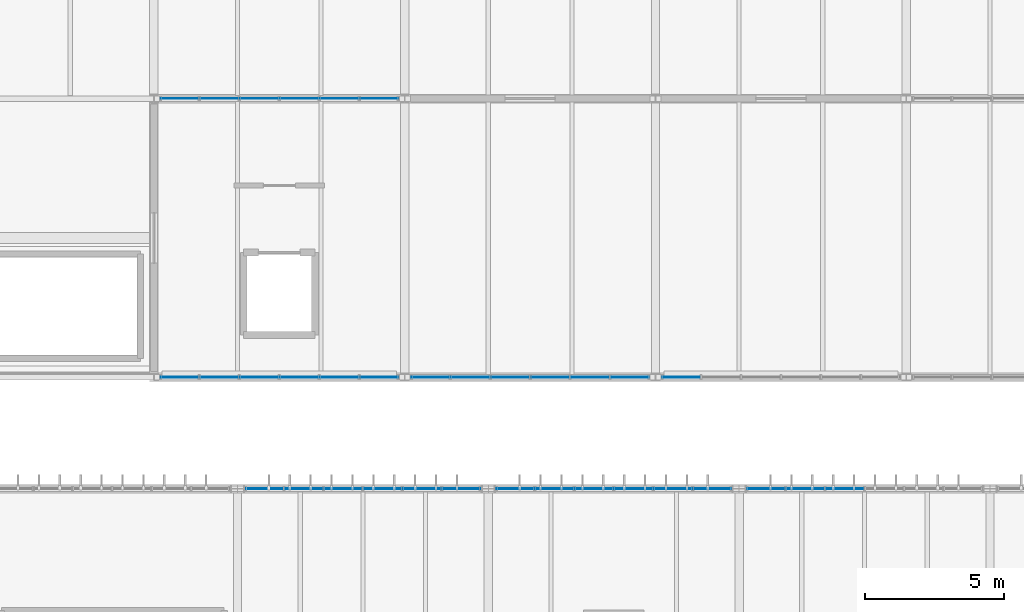
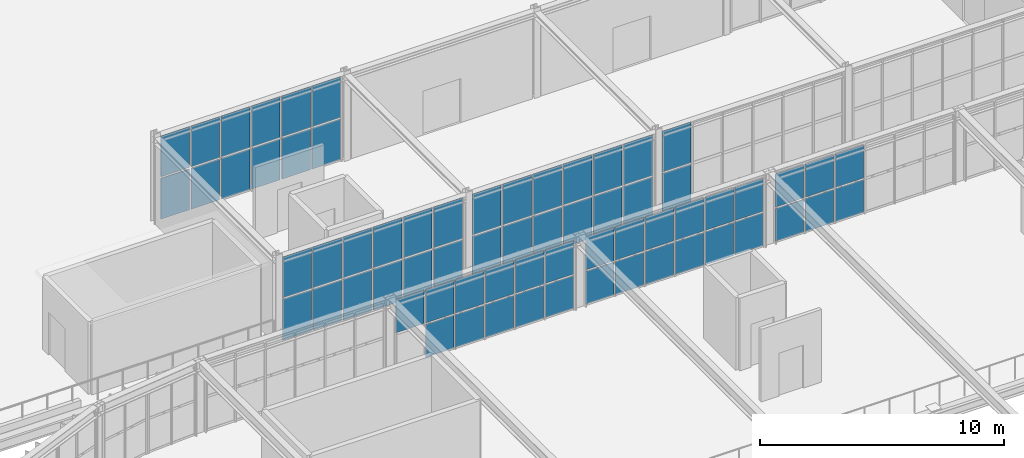
# One storey, part 110 of 152: 67 plates, 7 elements without a shape of their own.
"""IFC4 building model written with IfcOpenShell, lengths in metres."""

import ifcopenshell
import ifcopenshell.guid

model = None  # the IFC model being written
_history = None  # IfcOwnerHistory: only IFC2X3 demands one
_inside = {}  # id of a spatial element -> (the spatial element, [elements in it])
_under = {}  # id of a project, library or spatial element -> (it, [spatial elements below it])
_declared = {}  # id of a project -> (the project, [libraries it declares])
_typed = {}  # id of a type object -> (the type object, [elements of that type])
_made_of = {}  # id of a material, layer set ... -> (it, [elements and type objects made of it])


def new_model(schema):
    """Start an empty IFC model of exactly this schema.

    Asked for "IFC4X3", IfcOpenShell would pick the latest addendum, in which some entities
    have other attributes; the version numbers below select the first issue.
    IFC2X3 requires an IfcOwnerHistory on every rooted entity: one is made here for all.
    """
    global model, _history
    if schema == "IFC4X3":
        model = ifcopenshell.file(schema_version=(4, 3, 0, 0))
    else:
        model = ifcopenshell.file(schema=schema)
    _inside.clear()
    _under.clear()
    _declared.clear()
    _typed.clear()
    _made_of.clear()
    _history = None
    if model.schema == "IFC2X3":
        org = make("IfcOrganization", Name="unknown")
        user = make(
            "IfcPersonAndOrganization",
            ThePerson=make("IfcPerson", FamilyName="unknown"),
            TheOrganization=org,
        )
        app = make(
            "IfcApplication",
            ApplicationDeveloper=org,
            Version="unknown",
            ApplicationFullName="unknown",
            ApplicationIdentifier="unknown",
        )
        _history = make(
            "IfcOwnerHistory",
            OwningUser=user,
            OwningApplication=app,
            ChangeAction="ADDED",
            CreationDate=0,
        )
    return model


def make(cls, **values):
    """One entity of the class cls with the attributes given. An attribute that is None is left unset."""
    return model.create_entity(
        cls, **{name: value for name, value in values.items() if value is not None}
    )


def rooted(cls, **values):
    """An entity with a GlobalId (a new one), such as an element, a storey or a relation."""
    return make(cls, GlobalId=ifcopenshell.guid.new(), OwnerHistory=_history, **values)


def si_unit(unit_type, name, prefix=None):
    """IfcSIUnit, for example si_unit("LENGTHUNIT", "METRE", prefix="MILLI")."""
    return make("IfcSIUnit", UnitType=unit_type, Prefix=prefix, Name=name)


def derived_unit(unit_type, elements):
    """IfcDerivedUnit: a product of units, each with its exponent."""
    return make(
        "IfcDerivedUnit",
        Elements=[
            make("IfcDerivedUnitElement", Unit=unit, Exponent=power)
            for unit, power in elements
        ],
        UnitType=unit_type,
    )


def assignment(units):
    """IfcUnitAssignment: the units of a project."""
    return None if units is None else make("IfcUnitAssignment", Units=units)


def point(xyz):
    """IfcCartesianPoint."""
    return None if xyz is None else make("IfcCartesianPoint", Coordinates=xyz)


def direction(xyz):
    """IfcDirection."""
    return None if xyz is None else make("IfcDirection", DirectionRatios=xyz)


def frame(location, z_axis=None, x_axis=None):
    """IfcAxis2Placement3D, a coordinate frame: its origin and axes. An axis left out is left unset."""
    return make(
        "IfcAxis2Placement3D",
        Location=point(location),
        Axis=direction(z_axis),
        RefDirection=direction(x_axis),
    )


def frame_2d(location, x_axis=None):
    """IfcAxis2Placement2D, a coordinate frame in the plane: its origin and x axis."""
    return make(
        "IfcAxis2Placement2D", Location=point(location), RefDirection=direction(x_axis)
    )


def origin():
    """The frame at (0, 0, 0) with its axes left unset."""
    return frame((0.0, 0.0, 0.0))


def origin_2d():
    """The frame at (0, 0) in the plane with its x axis left unset."""
    return frame_2d((0.0, 0.0))


def place(relative_to, where):
    """IfcLocalPlacement: puts the frame where relative to a parent placement (None: the world)."""
    return make(
        "IfcLocalPlacement", PlacementRelTo=relative_to, RelativePlacement=where
    )


def context(
    kind, dimensions, precision=None, world=None, true_north=None, identifier=None
):
    """IfcGeometricRepresentationContext, for example the 3D "Model" context."""
    return make(
        "IfcGeometricRepresentationContext",
        ContextIdentifier=identifier,
        ContextType=kind,
        CoordinateSpaceDimension=dimensions,
        Precision=precision,
        WorldCoordinateSystem=world,
        TrueNorth=true_north,
    )


def subcontext(parent, identifier, kind, view, scale=None):
    """IfcGeometricRepresentationSubContext, for example "Body" below "Model"."""
    return make(
        "IfcGeometricRepresentationSubContext",
        ContextIdentifier=identifier,
        ContextType=kind,
        ParentContext=parent,
        TargetScale=scale,
        TargetView=view,
    )


def project(units=None, contexts=None):
    """IfcProject with its units and contexts."""
    return rooted(
        "IfcProject",
        Name="project",
        RepresentationContexts=contexts,
        UnitsInContext=assignment(units),
    )


def spatial(cls, under=None, at=None, **own):
    """A site, building, storey or space (cls), placed at a placement, below another one or the project."""
    s = rooted(cls, ObjectPlacement=at, **own)
    if under is not None:
        _under.setdefault(under.id(), (under, []))[1].append(s)
    return s


def profile(cls, at=None, kind="AREA", **sizes):
    """A parametric profile (cls). Its sizes go by their IFC names, for example OverallWidth=200.0."""
    return make(cls, ProfileType=kind, Position=at, **sizes)


def rectangle(**sizes):
    """IfcRectangleProfileDef."""
    return profile("IfcRectangleProfileDef", **sizes)


def extrude(swept, where, along, depth):
    """IfcExtrudedAreaSolid: the profile swept, set in the frame where, extruded along a direction by depth."""
    return make(
        "IfcExtrudedAreaSolid",
        SweptArea=swept,
        Position=where,
        ExtrudedDirection=direction(along),
        Depth=depth,
    )


def shape(context_of_items, identifier, shape_type, items):
    """IfcShapeRepresentation: the items that make up one representation, for example the "Body"."""
    return make(
        "IfcShapeRepresentation",
        ContextOfItems=context_of_items,
        RepresentationIdentifier=identifier,
        RepresentationType=shape_type,
        Items=items,
    )


def material(Name=None, Category=None):
    """IfcMaterial."""
    return make("IfcMaterial", Name=Name, Category=Category)


def layer(
    of_material, thickness, ventilated=None, Name=None, Category=None, Priority=None
):
    """IfcMaterialLayer: one layer of a wall or slab, of a material (None: an air gap)."""
    return make(
        "IfcMaterialLayer",
        Material=of_material,
        LayerThickness=thickness,
        IsVentilated=ventilated,
        Name=Name,
        Category=Category,
        Priority=Priority,
    )


def layer_set(layers, Name=None):
    """IfcMaterialLayerSet."""
    return make("IfcMaterialLayerSet", MaterialLayers=layers, LayerSetName=Name)


def made_of(thing, what):
    """Note that an element or type object is made of a material, layer set ...; save() writes the relation."""
    if what is not None:
        _made_of.setdefault(what.id(), (what, []))[1].append(thing)
    return thing


def type_object(cls, material=None, **own):
    """A type object (cls), such as IfcWallType, which elements share."""
    return made_of(rooted(cls, **own), material)


def element(
    cls,
    number,
    at=None,
    inside=None,
    cuts=None,
    type_object=None,
    material=None,
    context=None,
    identifier="Body",
    shape_type=None,
    held_by="IfcProductDefinitionShape",
    body=None,
    shapes=None,
    **own,
):
    """One element of the class cls, such as IfcWall. Its Tag is "e" and its number.

    at: its placement. inside: the storey or other place that contains it. cuts: it is an
    opening in that element (IfcRelVoidsElement). A single representation is given by context,
    identifier, shape_type and body (its items); several are given by shapes. held_by: the class
    of the entity that holds the representations. save() writes the other relations.
    """
    e = rooted(cls, Tag="e%d" % number, ObjectPlacement=at, **own)
    if body is not None:
        shapes = [shape(context, identifier, shape_type, body)]
    if shapes is not None:
        e.Representation = make(held_by, Representations=shapes)
    if inside is not None:
        _inside.setdefault(inside.id(), (inside, []))[1].append(e)
    if cuts is not None:
        rooted(
            "IfcRelVoidsElement", RelatingBuildingElement=cuts, RelatedOpeningElement=e
        )
    if type_object is not None:
        _typed.setdefault(type_object.id(), (type_object, []))[1].append(e)
    return made_of(e, material)


def aggregate(whole, parts):
    """IfcRelAggregates: a whole, such as a stair, and the parts it consists of."""
    return rooted("IfcRelAggregates", RelatingObject=whole, RelatedObjects=parts)


def save(model, path):
    """Write the relations noted so far, then the file.

    IfcRelAggregates (storeys below a building ...), IfcRelContainedInSpatialStructure (elements
    in a storey), IfcRelDefinesByType, IfcRelAssociatesMaterial and IfcRelDeclares: one each for
    every whole, place, type object, material and project.
    """
    for whole, parts in _under.values():
        aggregate(whole, parts)
    for where, things in _inside.values():
        rooted(
            "IfcRelContainedInSpatialStructure",
            RelatedElements=things,
            RelatingStructure=where,
        )
    for kind, things in _typed.values():
        rooted("IfcRelDefinesByType", RelatedObjects=things, RelatingType=kind)
    for what, things in _made_of.values():
        rooted("IfcRelAssociatesMaterial", RelatedObjects=things, RelatingMaterial=what)
    for by, libraries in _declared.values():
        rooted("IfcRelDeclares", RelatingContext=by, RelatedDefinitions=libraries)
    model.write(path)


model = new_model("IFC4")

# Units and contexts
model_context = context("Model", 3, precision=1e-05, world=origin(), true_north=direction((0.0, 1.0)))
body_context = subcontext(model_context, "Body", "Model", "MODEL_VIEW")
ifc_project = project(units=[si_unit("LENGTHUNIT", "METRE"), si_unit("AREAUNIT", "SQUARE_METRE"), si_unit("VOLUMEUNIT", "CUBIC_METRE"), si_unit("PLANEANGLEUNIT", "RADIAN"), si_unit("MASSUNIT", "GRAM", prefix="KILO"), si_unit("THERMODYNAMICTEMPERATUREUNIT", "KELVIN"), si_unit("TIMEUNIT", "SECOND"), derived_unit("THERMALTRANSMITTANCEUNIT", [(si_unit("MASSUNIT", "GRAM", prefix="KILO"), 1), (si_unit("THERMODYNAMICTEMPERATUREUNIT", "KELVIN"), -1), (si_unit("TIMEUNIT", "SECOND"), -3)])], contexts=[model_context])

# Site, building, storey
site_placement = place(None, origin())
site = spatial("IfcSite", under=ifc_project, at=site_placement, CompositionType="ELEMENT")
building_placement = place(site_placement, origin())
building = spatial("IfcBuilding", under=site, at=building_placement, Name="Cambertide Market Hall", CompositionType="ELEMENT")
storey_placement = place(building_placement, frame((0.0, 0.0, 5.39990234375)))
storey = spatial("IfcBuildingStorey", under=building, at=storey_placement, Name="L02", CompositionType="ELEMENT", Elevation=5.39990234375)

# Curtain wall, plates
ifc_material_1 = material(Name="Marine Anodized Aluminium 6063-T6 AA25", Category="aluminium")
curtain_wall_type_1 = type_object("IfcCurtainWallType", Name="Lantern Straight Upper Curtain Wall", PredefinedType="USERDEFINED", material=ifc_material_1)
curtain_wall_1_placement = place(storey_placement, origin())
curtain_wall_1 = element("IfcCurtainWall", 1, at=curtain_wall_1_placement, inside=storey, type_object=curtain_wall_type_1, Name="Level 2 Curtain Wall CW-V1N-L02-2", ObjectType="UNITIZED CURTAIN WALL", PredefinedType="USERDEFINED")
ifc_material_2 = material(Name="Low-E Laminated Insulated Glass", Category="glass")
ifc_layer = layer(ifc_material_2, 0.028076171875, Name="Vision Insulated Glazing Panel 28")
ifc_layer_set = layer_set([ifc_layer], Name="Low-E Laminated Insulated Glass")
plate_type = type_object("IfcPlateType", Name="Vision Insulated Glazing Panel 28", PredefinedType="CURTAIN_PANEL", material=ifc_layer_set)
plate_1_placement = place(storey_placement, frame((53.375, 92.0, 0.0400390625), z_axis=(0.0, 0.0, 1.0), x_axis=(1.0, 0.0, 0.0)))
plate_1 = element("IfcPlate", 2, at=plate_1_placement, type_object=plate_type, Name="CW-V1N-L02-2 Glazing Panel 1-2", PredefinedType="CURTAIN_PANEL", context=body_context, shape_type="SweptSolid", body=[
    extrude(rectangle(XDim=1.336669921875, YDim=0.028076171875, at=origin_2d()), origin(), (0.0, 0.0, 1.0), 1.64501953125),
])
plate_2_placement = place(storey_placement, frame((54.791748046875, 92.0, 0.0400390625), z_axis=(0.0, 0.0, 1.0), x_axis=(1.0, 0.0, 0.0)))
plate_2 = element("IfcPlate", 3, at=plate_2_placement, type_object=plate_type, Name="CW-V1N-L02-2 Glazing Panel 1-3", PredefinedType="CURTAIN_PANEL", context=body_context, shape_type="SweptSolid", body=[
    extrude(rectangle(XDim=1.336669921875, YDim=0.028076171875, at=origin_2d()), origin(), (0.0, 0.0, 1.0), 1.64501953125),
])
plate_3_placement = place(storey_placement, frame((56.208251953125, 92.0, 0.0400390625), z_axis=(0.0, 0.0, 1.0), x_axis=(1.0, 0.0, 0.0)))
plate_3 = element("IfcPlate", 4, at=plate_3_placement, type_object=plate_type, Name="CW-V1N-L02-2 Glazing Panel 1-4", PredefinedType="CURTAIN_PANEL", context=body_context, shape_type="SweptSolid", body=[
    extrude(rectangle(XDim=1.336669921875, YDim=0.028076171875, at=origin_2d()), origin(), (0.0, 0.0, 1.0), 1.64501953125),
])
plate_4_placement = place(storey_placement, frame((57.625, 92.0, 0.0400390625), z_axis=(0.0, 0.0, 1.0), x_axis=(1.0, 0.0, 0.0)))
plate_4 = element("IfcPlate", 5, at=plate_4_placement, type_object=plate_type, Name="CW-V1N-L02-2 Glazing Panel 1-5", PredefinedType="CURTAIN_PANEL", context=body_context, shape_type="SweptSolid", body=[
    extrude(rectangle(XDim=1.336669921875, YDim=0.028076171875, at=origin_2d()), origin(), (0.0, 0.0, 1.0), 1.64501953125),
])
plate_5_placement = place(storey_placement, frame((59.041748046875, 92.0, 0.0400390625), z_axis=(0.0, 0.0, 1.0), x_axis=(1.0, 0.0, 0.0)))
plate_5 = element("IfcPlate", 6, at=plate_5_placement, type_object=plate_type, Name="CW-V1N-L02-2 Glazing Panel 1-6", PredefinedType="CURTAIN_PANEL", context=body_context, shape_type="SweptSolid", body=[
    extrude(rectangle(XDim=1.336669921875, YDim=0.028076171875, at=origin_2d()), origin(), (0.0, 0.0, 1.0), 1.64501953125),
])
plate_6_placement = place(storey_placement, frame((51.958251953125, 92.0, 1.76513671875), z_axis=(0.0, 0.0, 1.0), x_axis=(1.0, 0.0, 0.0)))
plate_6 = element("IfcPlate", 7, at=plate_6_placement, type_object=plate_type, Name="CW-V1N-L02-2 Glazing Panel 2-1", PredefinedType="CURTAIN_PANEL", context=body_context, shape_type="SweptSolid", body=[
    extrude(rectangle(XDim=1.336669921875, YDim=0.028076171875, at=origin_2d()), origin(), (0.0, 0.0, 1.0), 1.64501953125),
])
plate_7_placement = place(storey_placement, frame((53.375, 92.0, 1.76513671875), z_axis=(0.0, 0.0, 1.0), x_axis=(1.0, 0.0, 0.0)))
plate_7 = element("IfcPlate", 8, at=plate_7_placement, type_object=plate_type, Name="CW-V1N-L02-2 Glazing Panel 2-2", PredefinedType="CURTAIN_PANEL", context=body_context, shape_type="SweptSolid", body=[
    extrude(rectangle(XDim=1.336669921875, YDim=0.028076171875, at=origin_2d()), origin(), (0.0, 0.0, 1.0), 1.64501953125),
])
plate_8_placement = place(storey_placement, frame((54.791748046875, 92.0, 1.76513671875), z_axis=(0.0, 0.0, 1.0), x_axis=(1.0, 0.0, 0.0)))
plate_8 = element("IfcPlate", 9, at=plate_8_placement, type_object=plate_type, Name="CW-V1N-L02-2 Glazing Panel 2-3", PredefinedType="CURTAIN_PANEL", context=body_context, shape_type="SweptSolid", body=[
    extrude(rectangle(XDim=1.336669921875, YDim=0.028076171875, at=origin_2d()), origin(), (0.0, 0.0, 1.0), 1.64501953125),
])
plate_9_placement = place(storey_placement, frame((56.208251953125, 92.0, 1.76513671875), z_axis=(0.0, 0.0, 1.0), x_axis=(1.0, 0.0, 0.0)))
plate_9 = element("IfcPlate", 10, at=plate_9_placement, type_object=plate_type, Name="CW-V1N-L02-2 Glazing Panel 2-4", PredefinedType="CURTAIN_PANEL", context=body_context, shape_type="SweptSolid", body=[
    extrude(rectangle(XDim=1.336669921875, YDim=0.028076171875, at=origin_2d()), origin(), (0.0, 0.0, 1.0), 1.64501953125),
])
plate_10_placement = place(storey_placement, frame((57.625, 92.0, 1.76513671875), z_axis=(0.0, 0.0, 1.0), x_axis=(1.0, 0.0, 0.0)))
plate_10 = element("IfcPlate", 11, at=plate_10_placement, type_object=plate_type, Name="CW-V1N-L02-2 Glazing Panel 2-5", PredefinedType="CURTAIN_PANEL", context=body_context, shape_type="SweptSolid", body=[
    extrude(rectangle(XDim=1.336669921875, YDim=0.028076171875, at=origin_2d()), origin(), (0.0, 0.0, 1.0), 1.64501953125),
])
plate_11_placement = place(storey_placement, frame((59.041748046875, 92.0, 1.76513671875), z_axis=(0.0, 0.0, 1.0), x_axis=(1.0, 0.0, 0.0)))
plate_11 = element("IfcPlate", 12, at=plate_11_placement, type_object=plate_type, Name="CW-V1N-L02-2 Glazing Panel 2-6", PredefinedType="CURTAIN_PANEL", context=body_context, shape_type="SweptSolid", body=[
    extrude(rectangle(XDim=1.336669921875, YDim=0.028076171875, at=origin_2d()), origin(), (0.0, 0.0, 1.0), 1.64501953125),
])
aggregate(curtain_wall_1, [plate_1, plate_2, plate_3, plate_4, plate_5, plate_6, plate_7, plate_8, plate_9, plate_10, plate_11])

curtain_wall_2_placement = place(storey_placement, origin())
curtain_wall_2 = element("IfcCurtainWall", 13, at=curtain_wall_2_placement, inside=storey, type_object=curtain_wall_type_1, Name="Level 2 Curtain Wall CW-V1N-L02-3", ObjectType="UNITIZED CURTAIN WALL", PredefinedType="USERDEFINED")
plate_12_placement = place(storey_placement, frame((60.958251953125, 92.0, 0.0400390625), z_axis=(0.0, 0.0, 1.0), x_axis=(1.0, 0.0, 0.0)))
plate_12 = element("IfcPlate", 14, at=plate_12_placement, type_object=plate_type, Name="CW-V1N-L02-3 Glazing Panel 1-1", PredefinedType="CURTAIN_PANEL", context=body_context, shape_type="SweptSolid", body=[
    extrude(rectangle(XDim=1.336669921875, YDim=0.028076171875, at=origin_2d()), origin(), (0.0, 0.0, 1.0), 1.64501953125),
])
plate_13_placement = place(storey_placement, frame((62.375, 92.0, 0.0400390625), z_axis=(0.0, 0.0, 1.0), x_axis=(1.0, 0.0, 0.0)))
plate_13 = element("IfcPlate", 15, at=plate_13_placement, type_object=plate_type, Name="CW-V1N-L02-3 Glazing Panel 1-2", PredefinedType="CURTAIN_PANEL", context=body_context, shape_type="SweptSolid", body=[
    extrude(rectangle(XDim=1.336669921875, YDim=0.028076171875, at=origin_2d()), origin(), (0.0, 0.0, 1.0), 1.64501953125),
])
plate_14_placement = place(storey_placement, frame((63.791748046875, 92.0, 0.0400390625), z_axis=(0.0, 0.0, 1.0), x_axis=(1.0, 0.0, 0.0)))
plate_14 = element("IfcPlate", 16, at=plate_14_placement, type_object=plate_type, Name="CW-V1N-L02-3 Glazing Panel 1-3", PredefinedType="CURTAIN_PANEL", context=body_context, shape_type="SweptSolid", body=[
    extrude(rectangle(XDim=1.336669921875, YDim=0.028076171875, at=origin_2d()), origin(), (0.0, 0.0, 1.0), 1.64501953125),
])
plate_15_placement = place(storey_placement, frame((65.208251953125, 92.0, 0.0400390625), z_axis=(0.0, 0.0, 1.0), x_axis=(1.0, 0.0, 0.0)))
plate_15 = element("IfcPlate", 17, at=plate_15_placement, type_object=plate_type, Name="CW-V1N-L02-3 Glazing Panel 1-4", PredefinedType="CURTAIN_PANEL", context=body_context, shape_type="SweptSolid", body=[
    extrude(rectangle(XDim=1.336669921875, YDim=0.028076171875, at=origin_2d()), origin(), (0.0, 0.0, 1.0), 1.64501953125),
])
plate_16_placement = place(storey_placement, frame((66.625, 92.0, 0.0400390625), z_axis=(0.0, 0.0, 1.0), x_axis=(1.0, 0.0, 0.0)))
plate_16 = element("IfcPlate", 18, at=plate_16_placement, type_object=plate_type, Name="CW-V1N-L02-3 Glazing Panel 1-5", PredefinedType="CURTAIN_PANEL", context=body_context, shape_type="SweptSolid", body=[
    extrude(rectangle(XDim=1.336669921875, YDim=0.028076171875, at=origin_2d()), origin(), (0.0, 0.0, 1.0), 1.64501953125),
])
plate_17_placement = place(storey_placement, frame((68.041748046875, 92.0, 0.0400390625), z_axis=(0.0, 0.0, 1.0), x_axis=(1.0, 0.0, 0.0)))
plate_17 = element("IfcPlate", 19, at=plate_17_placement, type_object=plate_type, Name="CW-V1N-L02-3 Glazing Panel 1-6", PredefinedType="CURTAIN_PANEL", context=body_context, shape_type="SweptSolid", body=[
    extrude(rectangle(XDim=1.336669921875, YDim=0.028076171875, at=origin_2d()), origin(), (0.0, 0.0, 1.0), 1.64501953125),
])
plate_18_placement = place(storey_placement, frame((60.958251953125, 92.0, 1.76513671875), z_axis=(0.0, 0.0, 1.0), x_axis=(1.0, 0.0, 0.0)))
plate_18 = element("IfcPlate", 20, at=plate_18_placement, type_object=plate_type, Name="CW-V1N-L02-3 Glazing Panel 2-1", PredefinedType="CURTAIN_PANEL", context=body_context, shape_type="SweptSolid", body=[
    extrude(rectangle(XDim=1.336669921875, YDim=0.028076171875, at=origin_2d()), origin(), (0.0, 0.0, 1.0), 1.64501953125),
])
plate_19_placement = place(storey_placement, frame((62.375, 92.0, 1.76513671875), z_axis=(0.0, 0.0, 1.0), x_axis=(1.0, 0.0, 0.0)))
plate_19 = element("IfcPlate", 21, at=plate_19_placement, type_object=plate_type, Name="CW-V1N-L02-3 Glazing Panel 2-2", PredefinedType="CURTAIN_PANEL", context=body_context, shape_type="SweptSolid", body=[
    extrude(rectangle(XDim=1.336669921875, YDim=0.028076171875, at=origin_2d()), origin(), (0.0, 0.0, 1.0), 1.64501953125),
])
plate_20_placement = place(storey_placement, frame((63.791748046875, 92.0, 1.76513671875), z_axis=(0.0, 0.0, 1.0), x_axis=(1.0, 0.0, 0.0)))
plate_20 = element("IfcPlate", 22, at=plate_20_placement, type_object=plate_type, Name="CW-V1N-L02-3 Glazing Panel 2-3", PredefinedType="CURTAIN_PANEL", context=body_context, shape_type="SweptSolid", body=[
    extrude(rectangle(XDim=1.336669921875, YDim=0.028076171875, at=origin_2d()), origin(), (0.0, 0.0, 1.0), 1.64501953125),
])
plate_21_placement = place(storey_placement, frame((65.208251953125, 92.0, 1.76513671875), z_axis=(0.0, 0.0, 1.0), x_axis=(1.0, 0.0, 0.0)))
plate_21 = element("IfcPlate", 23, at=plate_21_placement, type_object=plate_type, Name="CW-V1N-L02-3 Glazing Panel 2-4", PredefinedType="CURTAIN_PANEL", context=body_context, shape_type="SweptSolid", body=[
    extrude(rectangle(XDim=1.336669921875, YDim=0.028076171875, at=origin_2d()), origin(), (0.0, 0.0, 1.0), 1.64501953125),
])
plate_22_placement = place(storey_placement, frame((66.625, 92.0, 1.76513671875), z_axis=(0.0, 0.0, 1.0), x_axis=(1.0, 0.0, 0.0)))
plate_22 = element("IfcPlate", 24, at=plate_22_placement, type_object=plate_type, Name="CW-V1N-L02-3 Glazing Panel 2-5", PredefinedType="CURTAIN_PANEL", context=body_context, shape_type="SweptSolid", body=[
    extrude(rectangle(XDim=1.336669921875, YDim=0.028076171875, at=origin_2d()), origin(), (0.0, 0.0, 1.0), 1.64501953125),
])
plate_23_placement = place(storey_placement, frame((68.041748046875, 92.0, 1.76513671875), z_axis=(0.0, 0.0, 1.0), x_axis=(1.0, 0.0, 0.0)))
plate_23 = element("IfcPlate", 25, at=plate_23_placement, type_object=plate_type, Name="CW-V1N-L02-3 Glazing Panel 2-6", PredefinedType="CURTAIN_PANEL", context=body_context, shape_type="SweptSolid", body=[
    extrude(rectangle(XDim=1.336669921875, YDim=0.028076171875, at=origin_2d()), origin(), (0.0, 0.0, 1.0), 1.64501953125),
])
aggregate(curtain_wall_2, [plate_12, plate_13, plate_14, plate_15, plate_16, plate_17, plate_18, plate_19, plate_20, plate_21, plate_22, plate_23])

curtain_wall_3_placement = place(storey_placement, origin())
curtain_wall_3 = element("IfcCurtainWall", 26, at=curtain_wall_3_placement, inside=storey, type_object=curtain_wall_type_1, Name="Level 2 Curtain Wall CW-V1N-L02-4", ObjectType="UNITIZED CURTAIN WALL", PredefinedType="USERDEFINED")
plate_24_placement = place(storey_placement, frame((69.958251953125, 92.0, 0.0400390625), z_axis=(0.0, 0.0, 1.0), x_axis=(1.0, 0.0, 0.0)))
plate_24 = element("IfcPlate", 27, at=plate_24_placement, type_object=plate_type, Name="CW-V1N-L02-4 Glazing Panel 1-1", PredefinedType="CURTAIN_PANEL", context=body_context, shape_type="SweptSolid", body=[
    extrude(rectangle(XDim=1.336669921875, YDim=0.028076171875, at=origin_2d()), origin(), (0.0, 0.0, 1.0), 1.64501953125),
])
plate_25_placement = place(storey_placement, frame((71.375, 92.0, 0.0400390625), z_axis=(0.0, 0.0, 1.0), x_axis=(1.0, 0.0, 0.0)))
plate_25 = element("IfcPlate", 28, at=plate_25_placement, type_object=plate_type, Name="CW-V1N-L02-4 Glazing Panel 1-2", PredefinedType="CURTAIN_PANEL", context=body_context, shape_type="SweptSolid", body=[
    extrude(rectangle(XDim=1.336669921875, YDim=0.028076171875, at=origin_2d()), origin(), (0.0, 0.0, 1.0), 1.64501953125),
])
plate_26_placement = place(storey_placement, frame((72.791748046875, 92.0, 0.0400390625), z_axis=(0.0, 0.0, 1.0), x_axis=(1.0, 0.0, 0.0)))
plate_26 = element("IfcPlate", 29, at=plate_26_placement, type_object=plate_type, Name="CW-V1N-L02-4 Glazing Panel 1-3", PredefinedType="CURTAIN_PANEL", context=body_context, shape_type="SweptSolid", body=[
    extrude(rectangle(XDim=1.336669921875, YDim=0.028076171875, at=origin_2d()), origin(), (0.0, 0.0, 1.0), 1.64501953125),
])
plate_27_placement = place(storey_placement, frame((69.958251953125, 92.0, 1.76513671875), z_axis=(0.0, 0.0, 1.0), x_axis=(1.0, 0.0, 0.0)))
plate_27 = element("IfcPlate", 30, at=plate_27_placement, type_object=plate_type, Name="CW-V1N-L02-4 Glazing Panel 2-1", PredefinedType="CURTAIN_PANEL", context=body_context, shape_type="SweptSolid", body=[
    extrude(rectangle(XDim=1.336669921875, YDim=0.028076171875, at=origin_2d()), origin(), (0.0, 0.0, 1.0), 1.64501953125),
])
plate_28_placement = place(storey_placement, frame((71.375, 92.0, 1.76513671875), z_axis=(0.0, 0.0, 1.0), x_axis=(1.0, 0.0, 0.0)))
plate_28 = element("IfcPlate", 31, at=plate_28_placement, type_object=plate_type, Name="CW-V1N-L02-4 Glazing Panel 2-2", PredefinedType="CURTAIN_PANEL", context=body_context, shape_type="SweptSolid", body=[
    extrude(rectangle(XDim=1.336669921875, YDim=0.028076171875, at=origin_2d()), origin(), (0.0, 0.0, 1.0), 1.64501953125),
])
plate_29_placement = place(storey_placement, frame((72.791748046875, 92.0, 1.76513671875), z_axis=(0.0, 0.0, 1.0), x_axis=(1.0, 0.0, 0.0)))
plate_29 = element("IfcPlate", 32, at=plate_29_placement, type_object=plate_type, Name="CW-V1N-L02-4 Glazing Panel 2-3", PredefinedType="CURTAIN_PANEL", context=body_context, shape_type="SweptSolid", body=[
    extrude(rectangle(XDim=1.336669921875, YDim=0.028076171875, at=origin_2d()), origin(), (0.0, 0.0, 1.0), 1.64501953125),
])
aggregate(curtain_wall_3, [plate_24, plate_25, plate_26, plate_27, plate_28, plate_29])

ifc_material_3 = material(Name="Marine Anodized Aluminium 6063-T6 AA25", Category="aluminium")
curtain_wall_type_2 = type_object("IfcCurtainWallType", Name="Herb Tea Pavilion Terrace Glazed Wall", PredefinedType="USERDEFINED", material=ifc_material_3)
curtain_wall_4_placement = place(storey_placement, origin())
curtain_wall_4 = element("IfcCurtainWall", 33, at=curtain_wall_4_placement, inside=storey, type_object=curtain_wall_type_2, Name="Level 2 Curtain Wall CW-V2PAV-N-4", ObjectType="UNITIZED CURTAIN WALL", PredefinedType="USERDEFINED")
plate_30_placement = place(storey_placement, frame((48.916748046875, 106.0, 0.0400390625), z_axis=(0.0, 0.0, 1.0), x_axis=(1.0, 0.0, 0.0)))
plate_30 = element("IfcPlate", 34, at=plate_30_placement, type_object=plate_type, Name="CW-V2PAV-N-4 Glazing Panel 1-1", PredefinedType="CURTAIN_PANEL", context=body_context, shape_type="SweptSolid", body=[
    extrude(rectangle(XDim=1.353271484375, YDim=0.028076171875, at=origin_2d()), origin(), (0.0, 0.0, 1.0), 2.044921875),
])
plate_31_placement = place(storey_placement, frame((50.35009765625, 106.0, 0.0400390625), z_axis=(0.0, 0.0, 1.0), x_axis=(1.0, 0.0, 0.0)))
plate_31 = element("IfcPlate", 35, at=plate_31_placement, type_object=plate_type, Name="CW-V2PAV-N-4 Glazing Panel 1-2", PredefinedType="CURTAIN_PANEL", context=body_context, shape_type="SweptSolid", body=[
    extrude(rectangle(XDim=1.353271484375, YDim=0.028076171875, at=origin_2d()), origin(), (0.0, 0.0, 1.0), 2.044921875),
])
plate_32_placement = place(storey_placement, frame((51.783447265625, 106.0, 0.0400390625), z_axis=(0.0, 0.0, 1.0), x_axis=(1.0, 0.0, 0.0)))
plate_32 = element("IfcPlate", 36, at=plate_32_placement, type_object=plate_type, Name="CW-V2PAV-N-4 Glazing Panel 1-3", PredefinedType="CURTAIN_PANEL", context=body_context, shape_type="SweptSolid", body=[
    extrude(rectangle(XDim=1.353271484375, YDim=0.028076171875, at=origin_2d()), origin(), (0.0, 0.0, 1.0), 2.044921875),
])
plate_33_placement = place(storey_placement, frame((53.216552734375, 106.0, 0.0400390625), z_axis=(0.0, 0.0, 1.0), x_axis=(1.0, 0.0, 0.0)))
plate_33 = element("IfcPlate", 37, at=plate_33_placement, type_object=plate_type, Name="CW-V2PAV-N-4 Glazing Panel 1-4", PredefinedType="CURTAIN_PANEL", context=body_context, shape_type="SweptSolid", body=[
    extrude(rectangle(XDim=1.353271484375, YDim=0.028076171875, at=origin_2d()), origin(), (0.0, 0.0, 1.0), 2.044921875),
])
plate_34_placement = place(storey_placement, frame((54.64990234375, 106.0, 0.0400390625), z_axis=(0.0, 0.0, 1.0), x_axis=(1.0, 0.0, 0.0)))
plate_34 = element("IfcPlate", 38, at=plate_34_placement, type_object=plate_type, Name="CW-V2PAV-N-4 Glazing Panel 1-5", PredefinedType="CURTAIN_PANEL", context=body_context, shape_type="SweptSolid", body=[
    extrude(rectangle(XDim=1.353271484375, YDim=0.028076171875, at=origin_2d()), origin(), (0.0, 0.0, 1.0), 2.044921875),
])
plate_35_placement = place(storey_placement, frame((56.083251953125, 106.0, 0.0400390625), z_axis=(0.0, 0.0, 1.0), x_axis=(1.0, 0.0, 0.0)))
plate_35 = element("IfcPlate", 39, at=plate_35_placement, type_object=plate_type, Name="CW-V2PAV-N-4 Glazing Panel 1-6", PredefinedType="CURTAIN_PANEL", context=body_context, shape_type="SweptSolid", body=[
    extrude(rectangle(XDim=1.353271484375, YDim=0.028076171875, at=origin_2d()), origin(), (0.0, 0.0, 1.0), 2.044921875),
])
plate_36_placement = place(storey_placement, frame((48.916748046875, 106.0, 2.1650390625), z_axis=(0.0, 0.0, 1.0), x_axis=(1.0, 0.0, 0.0)))
plate_36 = element("IfcPlate", 40, at=plate_36_placement, type_object=plate_type, Name="CW-V2PAV-N-4 Glazing Panel 2-1", PredefinedType="CURTAIN_PANEL", context=body_context, shape_type="SweptSolid", body=[
    extrude(rectangle(XDim=1.353271484375, YDim=0.028076171875, at=origin_2d()), origin(), (0.0, 0.0, 1.0), 2.044921875),
])
plate_37_placement = place(storey_placement, frame((50.35009765625, 106.0, 2.1650390625), z_axis=(0.0, 0.0, 1.0), x_axis=(1.0, 0.0, 0.0)))
plate_37 = element("IfcPlate", 41, at=plate_37_placement, type_object=plate_type, Name="CW-V2PAV-N-4 Glazing Panel 2-2", PredefinedType="CURTAIN_PANEL", context=body_context, shape_type="SweptSolid", body=[
    extrude(rectangle(XDim=1.353271484375, YDim=0.028076171875, at=origin_2d()), origin(), (0.0, 0.0, 1.0), 2.044921875),
])
plate_38_placement = place(storey_placement, frame((51.783447265625, 106.0, 2.1650390625), z_axis=(0.0, 0.0, 1.0), x_axis=(1.0, 0.0, 0.0)))
plate_38 = element("IfcPlate", 42, at=plate_38_placement, type_object=plate_type, Name="CW-V2PAV-N-4 Glazing Panel 2-3", PredefinedType="CURTAIN_PANEL", context=body_context, shape_type="SweptSolid", body=[
    extrude(rectangle(XDim=1.353271484375, YDim=0.028076171875, at=origin_2d()), origin(), (0.0, 0.0, 1.0), 2.044921875),
])
plate_39_placement = place(storey_placement, frame((53.216552734375, 106.0, 2.1650390625), z_axis=(0.0, 0.0, 1.0), x_axis=(1.0, 0.0, 0.0)))
plate_39 = element("IfcPlate", 43, at=plate_39_placement, type_object=plate_type, Name="CW-V2PAV-N-4 Glazing Panel 2-4", PredefinedType="CURTAIN_PANEL", context=body_context, shape_type="SweptSolid", body=[
    extrude(rectangle(XDim=1.353271484375, YDim=0.028076171875, at=origin_2d()), origin(), (0.0, 0.0, 1.0), 2.044921875),
])
plate_40_placement = place(storey_placement, frame((54.64990234375, 106.0, 2.1650390625), z_axis=(0.0, 0.0, 1.0), x_axis=(1.0, 0.0, 0.0)))
plate_40 = element("IfcPlate", 44, at=plate_40_placement, type_object=plate_type, Name="CW-V2PAV-N-4 Glazing Panel 2-5", PredefinedType="CURTAIN_PANEL", context=body_context, shape_type="SweptSolid", body=[
    extrude(rectangle(XDim=1.353271484375, YDim=0.028076171875, at=origin_2d()), origin(), (0.0, 0.0, 1.0), 2.044921875),
])
plate_41_placement = place(storey_placement, frame((56.083251953125, 106.0, 2.1650390625), z_axis=(0.0, 0.0, 1.0), x_axis=(1.0, 0.0, 0.0)))
plate_41 = element("IfcPlate", 45, at=plate_41_placement, type_object=plate_type, Name="CW-V2PAV-N-4 Glazing Panel 2-6", PredefinedType="CURTAIN_PANEL", context=body_context, shape_type="SweptSolid", body=[
    extrude(rectangle(XDim=1.353271484375, YDim=0.028076171875, at=origin_2d()), origin(), (0.0, 0.0, 1.0), 2.044921875),
])
aggregate(curtain_wall_4, [plate_30, plate_31, plate_32, plate_33, plate_34, plate_35, plate_36, plate_37, plate_38, plate_39, plate_40, plate_41])

curtain_wall_5_placement = place(storey_placement, origin())
curtain_wall_5 = element("IfcCurtainWall", 46, at=curtain_wall_5_placement, inside=storey, type_object=curtain_wall_type_2, Name="Level 2 Curtain Wall CW-V2PAV-S-4", ObjectType="UNITIZED CURTAIN WALL", PredefinedType="USERDEFINED")
plate_42_placement = place(storey_placement, frame((56.083251953125, 96.0, 0.0400390625), z_axis=(0.0, 0.0, 1.0), x_axis=(-1.0, 0.0, 0.0)))
plate_42 = element("IfcPlate", 47, at=plate_42_placement, type_object=plate_type, Name="CW-V2PAV-S-4 Glazing Panel 1-1", PredefinedType="CURTAIN_PANEL", context=body_context, shape_type="SweptSolid", body=[
    extrude(rectangle(XDim=1.353271484375, YDim=0.028076171875, at=origin_2d()), origin(), (0.0, 0.0, 1.0), 2.044921875),
])
plate_43_placement = place(storey_placement, frame((54.64990234375, 96.0, 0.0400390625), z_axis=(0.0, 0.0, 1.0), x_axis=(-1.0, 0.0, 0.0)))
plate_43 = element("IfcPlate", 48, at=plate_43_placement, type_object=plate_type, Name="CW-V2PAV-S-4 Glazing Panel 1-2", PredefinedType="CURTAIN_PANEL", context=body_context, shape_type="SweptSolid", body=[
    extrude(rectangle(XDim=1.353271484375, YDim=0.028076171875, at=origin_2d()), origin(), (0.0, 0.0, 1.0), 2.044921875),
])
plate_44_placement = place(storey_placement, frame((53.216552734375, 96.0, 0.0400390625), z_axis=(0.0, 0.0, 1.0), x_axis=(-1.0, 0.0, 0.0)))
plate_44 = element("IfcPlate", 49, at=plate_44_placement, type_object=plate_type, Name="CW-V2PAV-S-4 Glazing Panel 1-3", PredefinedType="CURTAIN_PANEL", context=body_context, shape_type="SweptSolid", body=[
    extrude(rectangle(XDim=1.353271484375, YDim=0.028076171875, at=origin_2d()), origin(), (0.0, 0.0, 1.0), 2.044921875),
])
plate_45_placement = place(storey_placement, frame((51.783447265625, 96.0, 0.0400390625), z_axis=(0.0, 0.0, 1.0), x_axis=(-1.0, 0.0, 0.0)))
plate_45 = element("IfcPlate", 50, at=plate_45_placement, type_object=plate_type, Name="CW-V2PAV-S-4 Glazing Panel 1-4", PredefinedType="CURTAIN_PANEL", context=body_context, shape_type="SweptSolid", body=[
    extrude(rectangle(XDim=1.353271484375, YDim=0.028076171875, at=origin_2d()), origin(), (0.0, 0.0, 1.0), 2.044921875),
])
plate_46_placement = place(storey_placement, frame((50.35009765625, 96.0, 0.0400390625), z_axis=(0.0, 0.0, 1.0), x_axis=(-1.0, 0.0, 0.0)))
plate_46 = element("IfcPlate", 51, at=plate_46_placement, type_object=plate_type, Name="CW-V2PAV-S-4 Glazing Panel 1-5", PredefinedType="CURTAIN_PANEL", context=body_context, shape_type="SweptSolid", body=[
    extrude(rectangle(XDim=1.353271484375, YDim=0.028076171875, at=origin_2d()), origin(), (0.0, 0.0, 1.0), 2.044921875),
])
plate_47_placement = place(storey_placement, frame((48.916748046875, 96.0, 0.0400390625), z_axis=(0.0, 0.0, 1.0), x_axis=(-1.0, 0.0, 0.0)))
plate_47 = element("IfcPlate", 52, at=plate_47_placement, type_object=plate_type, Name="CW-V2PAV-S-4 Glazing Panel 1-6", PredefinedType="CURTAIN_PANEL", context=body_context, shape_type="SweptSolid", body=[
    extrude(rectangle(XDim=1.353271484375, YDim=0.028076171875, at=origin_2d()), origin(), (0.0, 0.0, 1.0), 2.044921875),
])
plate_48_placement = place(storey_placement, frame((56.083251953125, 96.0, 2.1650390625), z_axis=(0.0, 0.0, 1.0), x_axis=(-1.0, 0.0, 0.0)))
plate_48 = element("IfcPlate", 53, at=plate_48_placement, type_object=plate_type, Name="CW-V2PAV-S-4 Glazing Panel 2-1", PredefinedType="CURTAIN_PANEL", context=body_context, shape_type="SweptSolid", body=[
    extrude(rectangle(XDim=1.353271484375, YDim=0.028076171875, at=origin_2d()), origin(), (0.0, 0.0, 1.0), 2.044921875),
])
plate_49_placement = place(storey_placement, frame((54.64990234375, 96.0, 2.1650390625), z_axis=(0.0, 0.0, 1.0), x_axis=(-1.0, 0.0, 0.0)))
plate_49 = element("IfcPlate", 54, at=plate_49_placement, type_object=plate_type, Name="CW-V2PAV-S-4 Glazing Panel 2-2", PredefinedType="CURTAIN_PANEL", context=body_context, shape_type="SweptSolid", body=[
    extrude(rectangle(XDim=1.353271484375, YDim=0.028076171875, at=origin_2d()), origin(), (0.0, 0.0, 1.0), 2.044921875),
])
plate_50_placement = place(storey_placement, frame((53.216552734375, 96.0, 2.1650390625), z_axis=(0.0, 0.0, 1.0), x_axis=(-1.0, 0.0, 0.0)))
plate_50 = element("IfcPlate", 55, at=plate_50_placement, type_object=plate_type, Name="CW-V2PAV-S-4 Glazing Panel 2-3", PredefinedType="CURTAIN_PANEL", context=body_context, shape_type="SweptSolid", body=[
    extrude(rectangle(XDim=1.353271484375, YDim=0.028076171875, at=origin_2d()), origin(), (0.0, 0.0, 1.0), 2.044921875),
])
plate_51_placement = place(storey_placement, frame((51.783447265625, 96.0, 2.1650390625), z_axis=(0.0, 0.0, 1.0), x_axis=(-1.0, 0.0, 0.0)))
plate_51 = element("IfcPlate", 56, at=plate_51_placement, type_object=plate_type, Name="CW-V2PAV-S-4 Glazing Panel 2-4", PredefinedType="CURTAIN_PANEL", context=body_context, shape_type="SweptSolid", body=[
    extrude(rectangle(XDim=1.353271484375, YDim=0.028076171875, at=origin_2d()), origin(), (0.0, 0.0, 1.0), 2.044921875),
])
plate_52_placement = place(storey_placement, frame((50.35009765625, 96.0, 2.1650390625), z_axis=(0.0, 0.0, 1.0), x_axis=(-1.0, 0.0, 0.0)))
plate_52 = element("IfcPlate", 57, at=plate_52_placement, type_object=plate_type, Name="CW-V2PAV-S-4 Glazing Panel 2-5", PredefinedType="CURTAIN_PANEL", context=body_context, shape_type="SweptSolid", body=[
    extrude(rectangle(XDim=1.353271484375, YDim=0.028076171875, at=origin_2d()), origin(), (0.0, 0.0, 1.0), 2.044921875),
])
plate_53_placement = place(storey_placement, frame((48.916748046875, 96.0, 2.1650390625), z_axis=(0.0, 0.0, 1.0), x_axis=(-1.0, 0.0, 0.0)))
plate_53 = element("IfcPlate", 58, at=plate_53_placement, type_object=plate_type, Name="CW-V2PAV-S-4 Glazing Panel 2-6", PredefinedType="CURTAIN_PANEL", context=body_context, shape_type="SweptSolid", body=[
    extrude(rectangle(XDim=1.353271484375, YDim=0.028076171875, at=origin_2d()), origin(), (0.0, 0.0, 1.0), 2.044921875),
])
aggregate(curtain_wall_5, [plate_42, plate_43, plate_44, plate_45, plate_46, plate_47, plate_48, plate_49, plate_50, plate_51, plate_52, plate_53])

curtain_wall_6_placement = place(storey_placement, origin())
curtain_wall_6 = element("IfcCurtainWall", 59, at=curtain_wall_6_placement, inside=storey, type_object=curtain_wall_type_2, Name="Level 2 Curtain Wall CW-V2PAV-S-5", ObjectType="UNITIZED CURTAIN WALL", PredefinedType="USERDEFINED")
plate_54_placement = place(storey_placement, frame((65.083251953125, 96.0, 0.0400390625), z_axis=(0.0, 0.0, 1.0), x_axis=(-1.0, 0.0, 0.0)))
plate_54 = element("IfcPlate", 60, at=plate_54_placement, type_object=plate_type, Name="CW-V2PAV-S-5 Glazing Panel 1-1", PredefinedType="CURTAIN_PANEL", context=body_context, shape_type="SweptSolid", body=[
    extrude(rectangle(XDim=1.353271484375, YDim=0.028076171875, at=origin_2d()), origin(), (0.0, 0.0, 1.0), 2.044921875),
])
plate_55_placement = place(storey_placement, frame((63.64990234375, 96.0, 0.0400390625), z_axis=(0.0, 0.0, 1.0), x_axis=(-1.0, 0.0, 0.0)))
plate_55 = element("IfcPlate", 61, at=plate_55_placement, type_object=plate_type, Name="CW-V2PAV-S-5 Glazing Panel 1-2", PredefinedType="CURTAIN_PANEL", context=body_context, shape_type="SweptSolid", body=[
    extrude(rectangle(XDim=1.353271484375, YDim=0.028076171875, at=origin_2d()), origin(), (0.0, 0.0, 1.0), 2.044921875),
])
plate_56_placement = place(storey_placement, frame((62.216552734375, 96.0, 0.0400390625), z_axis=(0.0, 0.0, 1.0), x_axis=(-1.0, 0.0, 0.0)))
plate_56 = element("IfcPlate", 62, at=plate_56_placement, type_object=plate_type, Name="CW-V2PAV-S-5 Glazing Panel 1-3", PredefinedType="CURTAIN_PANEL", context=body_context, shape_type="SweptSolid", body=[
    extrude(rectangle(XDim=1.353271484375, YDim=0.028076171875, at=origin_2d()), origin(), (0.0, 0.0, 1.0), 2.044921875),
])
plate_57_placement = place(storey_placement, frame((60.783447265625, 96.0, 0.0400390625), z_axis=(0.0, 0.0, 1.0), x_axis=(-1.0, 0.0, 0.0)))
plate_57 = element("IfcPlate", 63, at=plate_57_placement, type_object=plate_type, Name="CW-V2PAV-S-5 Glazing Panel 1-4", PredefinedType="CURTAIN_PANEL", context=body_context, shape_type="SweptSolid", body=[
    extrude(rectangle(XDim=1.353271484375, YDim=0.028076171875, at=origin_2d()), origin(), (0.0, 0.0, 1.0), 2.044921875),
])
plate_58_placement = place(storey_placement, frame((59.35009765625, 96.0, 0.0400390625), z_axis=(0.0, 0.0, 1.0), x_axis=(-1.0, 0.0, 0.0)))
plate_58 = element("IfcPlate", 64, at=plate_58_placement, type_object=plate_type, Name="CW-V2PAV-S-5 Glazing Panel 1-5", PredefinedType="CURTAIN_PANEL", context=body_context, shape_type="SweptSolid", body=[
    extrude(rectangle(XDim=1.353271484375, YDim=0.028076171875, at=origin_2d()), origin(), (0.0, 0.0, 1.0), 2.044921875),
])
plate_59_placement = place(storey_placement, frame((57.916748046875, 96.0, 0.0400390625), z_axis=(0.0, 0.0, 1.0), x_axis=(-1.0, 0.0, 0.0)))
plate_59 = element("IfcPlate", 65, at=plate_59_placement, type_object=plate_type, Name="CW-V2PAV-S-5 Glazing Panel 1-6", PredefinedType="CURTAIN_PANEL", context=body_context, shape_type="SweptSolid", body=[
    extrude(rectangle(XDim=1.353271484375, YDim=0.028076171875, at=origin_2d()), origin(), (0.0, 0.0, 1.0), 2.044921875),
])
plate_60_placement = place(storey_placement, frame((65.083251953125, 96.0, 2.1650390625), z_axis=(0.0, 0.0, 1.0), x_axis=(-1.0, 0.0, 0.0)))
plate_60 = element("IfcPlate", 66, at=plate_60_placement, type_object=plate_type, Name="CW-V2PAV-S-5 Glazing Panel 2-1", PredefinedType="CURTAIN_PANEL", context=body_context, shape_type="SweptSolid", body=[
    extrude(rectangle(XDim=1.353271484375, YDim=0.028076171875, at=origin_2d()), origin(), (0.0, 0.0, 1.0), 2.044921875),
])
plate_61_placement = place(storey_placement, frame((63.64990234375, 96.0, 2.1650390625), z_axis=(0.0, 0.0, 1.0), x_axis=(-1.0, 0.0, 0.0)))
plate_61 = element("IfcPlate", 67, at=plate_61_placement, type_object=plate_type, Name="CW-V2PAV-S-5 Glazing Panel 2-2", PredefinedType="CURTAIN_PANEL", context=body_context, shape_type="SweptSolid", body=[
    extrude(rectangle(XDim=1.353271484375, YDim=0.028076171875, at=origin_2d()), origin(), (0.0, 0.0, 1.0), 2.044921875),
])
plate_62_placement = place(storey_placement, frame((62.216552734375, 96.0, 2.1650390625), z_axis=(0.0, 0.0, 1.0), x_axis=(-1.0, 0.0, 0.0)))
plate_62 = element("IfcPlate", 68, at=plate_62_placement, type_object=plate_type, Name="CW-V2PAV-S-5 Glazing Panel 2-3", PredefinedType="CURTAIN_PANEL", context=body_context, shape_type="SweptSolid", body=[
    extrude(rectangle(XDim=1.353271484375, YDim=0.028076171875, at=origin_2d()), origin(), (0.0, 0.0, 1.0), 2.044921875),
])
plate_63_placement = place(storey_placement, frame((60.783447265625, 96.0, 2.1650390625), z_axis=(0.0, 0.0, 1.0), x_axis=(-1.0, 0.0, 0.0)))
plate_63 = element("IfcPlate", 69, at=plate_63_placement, type_object=plate_type, Name="CW-V2PAV-S-5 Glazing Panel 2-4", PredefinedType="CURTAIN_PANEL", context=body_context, shape_type="SweptSolid", body=[
    extrude(rectangle(XDim=1.353271484375, YDim=0.028076171875, at=origin_2d()), origin(), (0.0, 0.0, 1.0), 2.044921875),
])
plate_64_placement = place(storey_placement, frame((59.35009765625, 96.0, 2.1650390625), z_axis=(0.0, 0.0, 1.0), x_axis=(-1.0, 0.0, 0.0)))
plate_64 = element("IfcPlate", 70, at=plate_64_placement, type_object=plate_type, Name="CW-V2PAV-S-5 Glazing Panel 2-5", PredefinedType="CURTAIN_PANEL", context=body_context, shape_type="SweptSolid", body=[
    extrude(rectangle(XDim=1.353271484375, YDim=0.028076171875, at=origin_2d()), origin(), (0.0, 0.0, 1.0), 2.044921875),
])
plate_65_placement = place(storey_placement, frame((57.916748046875, 96.0, 2.1650390625), z_axis=(0.0, 0.0, 1.0), x_axis=(-1.0, 0.0, 0.0)))
plate_65 = element("IfcPlate", 71, at=plate_65_placement, type_object=plate_type, Name="CW-V2PAV-S-5 Glazing Panel 2-6", PredefinedType="CURTAIN_PANEL", context=body_context, shape_type="SweptSolid", body=[
    extrude(rectangle(XDim=1.353271484375, YDim=0.028076171875, at=origin_2d()), origin(), (0.0, 0.0, 1.0), 2.044921875),
])
aggregate(curtain_wall_6, [plate_54, plate_55, plate_56, plate_57, plate_58, plate_59, plate_60, plate_61, plate_62, plate_63, plate_64, plate_65])

curtain_wall_7_placement = place(storey_placement, origin())
curtain_wall_7 = element("IfcCurtainWall", 72, at=curtain_wall_7_placement, inside=storey, type_object=curtain_wall_type_2, Name="Level 2 Curtain Wall CW-V2PAV-S-6", ObjectType="UNITIZED CURTAIN WALL", PredefinedType="USERDEFINED")
plate_66_placement = place(storey_placement, frame((66.916748046875, 96.0, 0.0400390625), z_axis=(0.0, 0.0, 1.0), x_axis=(-1.0, 0.0, 0.0)))
plate_66 = element("IfcPlate", 73, at=plate_66_placement, type_object=plate_type, Name="CW-V2PAV-S-6 Glazing Panel 1-6", PredefinedType="CURTAIN_PANEL", context=body_context, shape_type="SweptSolid", body=[
    extrude(rectangle(XDim=1.353271484375, YDim=0.028076171875, at=origin_2d()), origin(), (0.0, 0.0, 1.0), 2.044921875),
])
plate_67_placement = place(storey_placement, frame((66.916748046875, 96.0, 2.1650390625), z_axis=(0.0, 0.0, 1.0), x_axis=(-1.0, 0.0, 0.0)))
plate_67 = element("IfcPlate", 74, at=plate_67_placement, type_object=plate_type, Name="CW-V2PAV-S-6 Glazing Panel 2-6", PredefinedType="CURTAIN_PANEL", context=body_context, shape_type="SweptSolid", body=[
    extrude(rectangle(XDim=1.353271484375, YDim=0.028076171875, at=origin_2d()), origin(), (0.0, 0.0, 1.0), 2.044921875),
])
aggregate(curtain_wall_7, [plate_66, plate_67])

save(model, "model.ifc")
